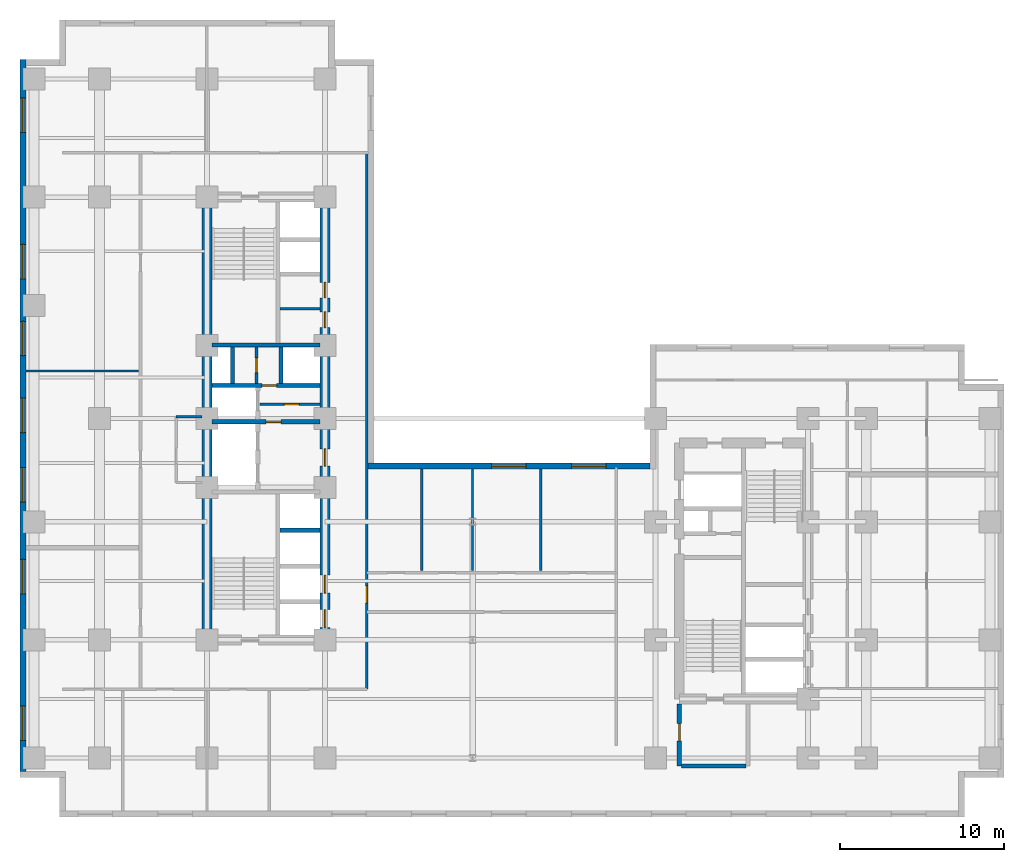
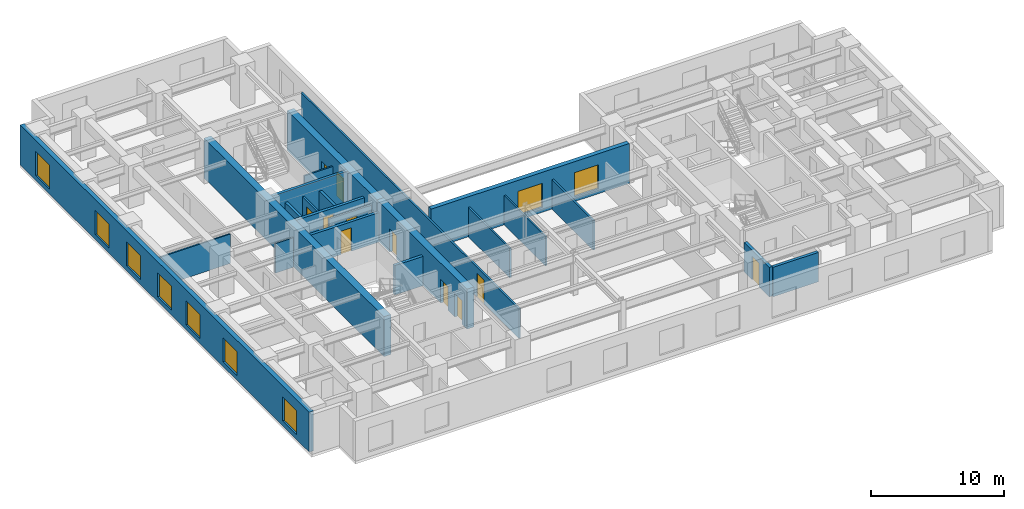
# One storey, part 4 of 9: 22 walls, 11 doors, 9 windows, 20 openings.
"""IFC4 building model written with IfcOpenShell, lengths in metres."""

from ifc_helpers import new_model, entity, si_unit, converted_unit, direction, frame, origin_with_axes, origin_2d_with_axis, place, context, subcontext, project, spatial, polyline, rectangle, outline, extrude, material, layer, layer_set, type_object, element, fill, save


model = new_model("IFC4")

# Units and contexts
model_context = context("Model", 3, precision=1e-05, world=origin_with_axes(), true_north=direction((0.0, 1.0)))
body_context = subcontext(model_context, "Body", "Model", "MODEL_VIEW")
ifc_project = project(units=[si_unit("LENGTHUNIT", "METRE"), si_unit("AREAUNIT", "SQUARE_METRE"), si_unit("VOLUMEUNIT", "CUBIC_METRE"), converted_unit("PLANEANGLEUNIT", "DEGREE", entity("IfcPlaneAngleMeasure", 0.017453292519943295), si_unit("PLANEANGLEUNIT", "RADIAN"), dimensions=[0, 0, 0, 0, 0, 0, 0]), si_unit("MASSUNIT", "GRAM", prefix="KILO"), si_unit("THERMODYNAMICTEMPERATUREUNIT", "KELVIN")], contexts=[model_context])

# Site, building, storey
site_placement = place(None, origin_with_axes())
site = spatial("IfcSite", under=ifc_project, at=site_placement, CompositionType="ELEMENT")
building_placement = place(site_placement, origin_with_axes())
building = spatial("IfcBuilding", under=site, at=building_placement, Name="Varnlund Millrace Tower", CompositionType="ELEMENT")
storey_placement = place(building_placement, frame((0.0, 0.0, 63.9), z_axis=(0.0, 0.0, 1.0), x_axis=(1.0, 0.0, 0.0)))
storey = spatial("IfcBuildingStorey", under=building, at=storey_placement, Name="L15", CompositionType="ELEMENT", Elevation=63.9)

# Wall
ifc_material_1 = material(Name="Concrete C80/95", Category="concrete")
ifc_layer_1 = layer(ifc_material_1, 0.6, Name="Concrete C80/95")
ifc_layer_set_1 = layer_set([ifc_layer_1], Name="Concrete C80/95")
wall_type_1 = type_object("IfcWallType", Name="Type-CoreWall-Shear-600-C80", PredefinedType="SHEAR", material=ifc_layer_set_1)
wall_1_placement = place(storey_placement, frame((11.4, 10.8, 0.0), z_axis=(0.0, 0.0, 1.0), x_axis=(0.0, 1.0, 0.0)))
element("IfcWall", 1, at=wall_1_placement, inside=storey, type_object=wall_type_1, Name="Type-CoreWall-Shear-600-C80", PredefinedType="SHEAR", context=body_context, shape_type="SweptSolid", body=[
    extrude(outline(polyline([(0.0, -0.3), (27.0, -0.3), (27.0, 0.3), (0.0, 0.3), (0.0, -0.3)])), origin_with_axes(), (0.0, 0.0, 1.0), 3.66),
])

# Wall, openings, doors
wall_2_placement = place(storey_placement, frame((18.6, 10.8, 0.0), z_axis=(0.0, 0.0, 1.0), x_axis=(0.0, 1.0, 0.0)))
wall_2 = element("IfcWall", 2, at=wall_2_placement, inside=storey, type_object=wall_type_1, Name="Type-CoreWall-Shear-600-C80", PredefinedType="SHEAR", context=body_context, shape_type="SweptSolid", body=[
    extrude(outline(polyline([(0.0, -0.3), (13.5, -0.3), (13.5, 0.3), (0.0, 0.3), (0.0, -0.3)])), origin_with_axes(), (0.0, 0.0, 1.0), 3.66),
])
opening_1_placement = place(wall_2_placement, frame((1.3, 0.0, 0.0), z_axis=(0.0, 0.0, 1.0), x_axis=(1.0, 0.0, 0.0)))
opening_1 = element("IfcOpeningElement", 3, at=opening_1_placement, cuts=wall_2, Name="Opening L15:LD-ELV-L1", PredefinedType="OPENING", context=body_context, shape_type="SweptSolid", body=[
    extrude(rectangle(XDim=1.1, YDim=0.62, at=origin_2d_with_axis()), origin_with_axes(), (0.0, 0.0, 1.0), 2.15),
])
opening_2_placement = place(wall_2_placement, frame((3.4, 0.0, 0.0), z_axis=(0.0, 0.0, 1.0), x_axis=(1.0, 0.0, 0.0)))
opening_2 = element("IfcOpeningElement", 4, at=opening_2_placement, cuts=wall_2, Name="Opening L15:LD-ELV-L2", PredefinedType="OPENING", context=body_context, shape_type="SweptSolid", body=[
    extrude(rectangle(XDim=1.1, YDim=0.62, at=origin_2d_with_axis()), origin_with_axes(), (0.0, 0.0, 1.0), 2.15),
])
opening_3_placement = place(wall_2_placement, frame((11.125, 0.0, 0.0), z_axis=(0.0, 0.0, 1.0), x_axis=(1.0, 0.0, 0.0)))
opening_3 = element("IfcOpeningElement", 5, at=opening_3_placement, cuts=wall_2, Name="Opening L15:DR-FFLOB-A", PredefinedType="OPENING", context=body_context, shape_type="SweptSolid", body=[
    extrude(rectangle(XDim=1.05, YDim=0.62, at=origin_2d_with_axis()), origin_with_axes(), (0.0, 0.0, 1.0), 2.15),
])
ifc_material_2 = material(Name="Smoke-barrier hollow steel fire door", Category="steel")
door_type_1 = type_object("IfcDoorType", Name="Type-FireDoor-Lobby-1050X2150", OperationType="NOTDEFINED", PredefinedType="DOOR", material=ifc_material_2)
door_1_placement = place(wall_2_placement, frame((11.125, 0.0, 0.0), z_axis=(0.0, 0.0, 1.0), x_axis=(1.0, 0.0, 0.0)))
door_1 = element("IfcDoor", 6, at=door_1_placement, inside=storey, type_object=door_type_1, Name="Type-FireDoor-Lobby-1050X2150", OperationType="SINGLE_SWING_LEFT", OverallHeight=2.15, OverallWidth=1.05, PredefinedType="DOOR", context=body_context, shape_type="SweptSolid", body=[
    extrude(rectangle(XDim=1.05, YDim=0.09, at=origin_2d_with_axis()), origin_with_axes(), (0.0, 0.0, 1.0), 2.15),
])
fill(opening_3, door_1)
ifc_material_3 = material(Name="Stainless and architectural bronze sliding landing door")
door_type_2 = type_object("IfcDoorType", Name="Type-LiftLandingDoor-1100X2150", OperationType="NOTDEFINED", PredefinedType="DOOR", material=ifc_material_3)
door_2_placement = place(wall_2_placement, frame((1.3, 0.0, 0.0), z_axis=(0.0, 0.0, 1.0), x_axis=(1.0, 0.0, 0.0)))
door_2 = element("IfcDoor", 7, at=door_2_placement, inside=storey, type_object=door_type_2, Name="Type-LiftLandingDoor-1100X2150", OperationType="SLIDING_TO_LEFT", OverallHeight=2.15, OverallWidth=1.1, PredefinedType="DOOR", context=body_context, shape_type="SweptSolid", body=[
    extrude(rectangle(XDim=1.1, YDim=0.09, at=origin_2d_with_axis()), origin_with_axes(), (0.0, 0.0, 1.0), 2.15),
])
fill(opening_1, door_2)
door_3_placement = place(wall_2_placement, frame((3.4, 0.0, 0.0), z_axis=(0.0, 0.0, 1.0), x_axis=(1.0, 0.0, 0.0)))
door_3 = element("IfcDoor", 8, at=door_3_placement, inside=storey, type_object=door_type_2, Name="Type-LiftLandingDoor-1100X2150", OperationType="SLIDING_TO_RIGHT", OverallHeight=2.15, OverallWidth=1.1, PredefinedType="DOOR", context=body_context, shape_type="SweptSolid", body=[
    extrude(rectangle(XDim=1.1, YDim=0.09, at=origin_2d_with_axis()), origin_with_axes(), (0.0, 0.0, 1.0), 2.15),
])
fill(opening_2, door_3)

wall_3_placement = place(storey_placement, frame((18.6, 24.3, 0.0), z_axis=(0.0, 0.0, 1.0), x_axis=(0.0, 1.0, 0.0)))
wall_3 = element("IfcWall", 9, at=wall_3_placement, inside=storey, type_object=wall_type_1, Name="Type-CoreWall-Shear-600-C80", PredefinedType="SHEAR", context=body_context, shape_type="SweptSolid", body=[
    extrude(outline(polyline([(0.0, -0.3), (13.5, -0.3), (13.5, 0.3), (0.0, 0.3), (0.0, -0.3)])), origin_with_axes(), (0.0, 0.0, 1.0), 3.66),
])
opening_4_placement = place(wall_3_placement, frame((6.025, 0.0, 0.0), z_axis=(0.0, 0.0, 1.0), x_axis=(1.0, 0.0, 0.0)))
opening_4 = element("IfcOpeningElement", 10, at=opening_4_placement, cuts=wall_3, Name="Opening L15:DR-CA-WC1", PredefinedType="OPENING", context=body_context, shape_type="SweptSolid", body=[
    extrude(rectangle(XDim=0.95, YDim=0.62, at=origin_2d_with_axis()), origin_with_axes(), (0.0, 0.0, 1.0), 2.15),
])
opening_5_placement = place(wall_3_placement, frame((7.825, 0.0, 0.0), z_axis=(0.0, 0.0, 1.0), x_axis=(1.0, 0.0, 0.0)))
opening_5 = element("IfcOpeningElement", 11, at=opening_5_placement, cuts=wall_3, Name="Opening L15:DR-CA-WC2", PredefinedType="OPENING", context=body_context, shape_type="SweptSolid", body=[
    extrude(rectangle(XDim=0.95, YDim=0.62, at=origin_2d_with_axis()), origin_with_axes(), (0.0, 0.0, 1.0), 2.15),
])
ifc_material_4 = material(Name="Fire-rated hollow steel core service door", Category="steel")
door_type_3 = type_object("IfcDoorType", Name="Type-FireDoor-Service-950X2150", OperationType="NOTDEFINED", PredefinedType="DOOR", material=ifc_material_4)
door_4_placement = place(wall_3_placement, frame((6.025, 0.0, 0.0), z_axis=(0.0, 0.0, 1.0), x_axis=(1.0, 0.0, 0.0)))
door_4 = element("IfcDoor", 12, at=door_4_placement, inside=storey, type_object=door_type_3, Name="Type-FireDoor-Service-950X2150", OperationType="SINGLE_SWING_RIGHT", OverallHeight=2.15, OverallWidth=0.95, PredefinedType="DOOR", context=body_context, shape_type="SweptSolid", body=[
    extrude(rectangle(XDim=0.95, YDim=0.09, at=origin_2d_with_axis()), origin_with_axes(), (0.0, 0.0, 1.0), 2.15),
])
fill(opening_4, door_4)
door_5_placement = place(wall_3_placement, frame((7.825, 0.0, 0.0), z_axis=(0.0, 0.0, 1.0), x_axis=(1.0, 0.0, 0.0)))
door_5 = element("IfcDoor", 13, at=door_5_placement, inside=storey, type_object=door_type_3, Name="Type-FireDoor-Service-950X2150", OperationType="SINGLE_SWING_RIGHT", OverallHeight=2.15, OverallWidth=0.95, PredefinedType="DOOR", context=body_context, shape_type="SweptSolid", body=[
    extrude(rectangle(XDim=0.95, YDim=0.09, at=origin_2d_with_axis()), origin_with_axes(), (0.0, 0.0, 1.0), 2.15),
])
fill(opening_5, door_5)

# Wall, openings, windows
ifc_material_5 = material(Name="Precast concrete C50/60", Category="concrete")
ifc_layer_2 = layer(ifc_material_5, 0.38, Name="Precast concrete C50/60")
ifc_layer_set_2 = layer_set([ifc_layer_2], Name="Precast concrete C50/60")
wall_type_2 = type_object("IfcWallType", Name="Type-ExtWall-Precast-Tube-380", PredefinedType="SOLIDWALL", material=ifc_layer_set_2)
wall_4_placement = place(storey_placement, frame((0.19, 2.78, 0.0), z_axis=(0.0, 0.0, 1.0), x_axis=(0.0, 1.0, 0.0)))
wall_4 = element("IfcWall", 14, at=wall_4_placement, inside=storey, type_object=wall_type_2, Name="Type-ExtWall-Precast-Tube-380", PredefinedType="SOLIDWALL", context=body_context, shape_type="SweptSolid", body=[
    extrude(outline(polyline([(0.0, -0.19), (43.42, -0.19), (43.42, 0.19), (0.0, 0.19), (0.0, -0.19)])), origin_with_axes(), (0.0, 0.0, 1.0), 3.66),
])
opening_6_placement = place(wall_4_placement, frame((2.946, 0.0, 0.45), z_axis=(0.0, 0.0, 1.0), x_axis=(1.0, 0.0, 0.0)))
opening_6 = element("IfcOpeningElement", 15, at=opening_6_placement, cuts=wall_4, Name="Opening L15:WN-15", PredefinedType="OPENING", context=body_context, shape_type="SweptSolid", body=[
    extrude(rectangle(XDim=2.1, YDim=0.4, at=origin_2d_with_axis()), origin_with_axes(), (0.0, 0.0, 1.0), 2.2),
])
opening_7_placement = place(wall_4_placement, frame((11.878, 0.0, 0.45), z_axis=(0.0, 0.0, 1.0), x_axis=(1.0, 0.0, 0.0)))
opening_7 = element("IfcOpeningElement", 16, at=opening_7_placement, cuts=wall_4, Name="Opening L15:WN-16", PredefinedType="OPENING", context=body_context, shape_type="SweptSolid", body=[
    extrude(rectangle(XDim=2.1, YDim=0.4, at=origin_2d_with_axis()), origin_with_axes(), (0.0, 0.0, 1.0), 2.2),
])
opening_8_placement = place(wall_4_placement, frame((17.469, 0.0, 0.45), z_axis=(0.0, 0.0, 1.0), x_axis=(1.0, 0.0, 0.0)))
opening_8 = element("IfcOpeningElement", 17, at=opening_8_placement, cuts=wall_4, Name="Opening L15:WN-17", PredefinedType="OPENING", context=body_context, shape_type="SweptSolid", body=[
    extrude(rectangle(XDim=2.1, YDim=0.4, at=origin_2d_with_axis()), origin_with_axes(), (0.0, 0.0, 1.0), 2.2),
])
opening_9_placement = place(wall_4_placement, frame((21.71, 0.0, 0.45), z_axis=(0.0, 0.0, 1.0), x_axis=(1.0, 0.0, 0.0)))
opening_9 = element("IfcOpeningElement", 18, at=opening_9_placement, cuts=wall_4, Name="Opening L15:WN-18", PredefinedType="OPENING", context=body_context, shape_type="SweptSolid", body=[
    extrude(rectangle(XDim=2.1, YDim=0.4, at=origin_2d_with_axis()), origin_with_axes(), (0.0, 0.0, 1.0), 2.2),
])
opening_10_placement = place(wall_4_placement, frame((26.401, 0.0, 0.45), z_axis=(0.0, 0.0, 1.0), x_axis=(1.0, 0.0, 0.0)))
opening_10 = element("IfcOpeningElement", 19, at=opening_10_placement, cuts=wall_4, Name="Opening L15:WN-19", PredefinedType="OPENING", context=body_context, shape_type="SweptSolid", body=[
    extrude(rectangle(XDim=2.1, YDim=0.4, at=origin_2d_with_axis()), origin_with_axes(), (0.0, 0.0, 1.0), 2.2),
])
opening_11_placement = place(wall_4_placement, frame((31.092, 0.0, 0.45), z_axis=(0.0, 0.0, 1.0), x_axis=(1.0, 0.0, 0.0)))
opening_11 = element("IfcOpeningElement", 20, at=opening_11_placement, cuts=wall_4, Name="Opening L15:WN-20", PredefinedType="OPENING", context=body_context, shape_type="SweptSolid", body=[
    extrude(rectangle(XDim=2.1, YDim=0.4, at=origin_2d_with_axis()), origin_with_axes(), (0.0, 0.0, 1.0), 2.2),
])
opening_12_placement = place(wall_4_placement, frame((40.024, 0.0, 0.45), z_axis=(0.0, 0.0, 1.0), x_axis=(1.0, 0.0, 0.0)))
opening_12 = element("IfcOpeningElement", 21, at=opening_12_placement, cuts=wall_4, Name="Opening L15:WN-21", PredefinedType="OPENING", context=body_context, shape_type="SweptSolid", body=[
    extrude(rectangle(XDim=2.1, YDim=0.4, at=origin_2d_with_axis()), origin_with_axes(), (0.0, 0.0, 1.0), 2.2),
])
ifc_material_6 = material(Name="Argon low-e triple glazing in thermally broken bronze frame", Category="glass")
window_type = type_object("IfcWindowType", Name="Type-Window-Punched-2100X2200", PartitioningType="SINGLE_PANEL", PredefinedType="WINDOW", material=ifc_material_6)
window_1_placement = place(wall_4_placement, frame((2.946, 0.0, 0.45), z_axis=(0.0, 0.0, 1.0), x_axis=(1.0, 0.0, 0.0)))
window_1 = element("IfcWindow", 22, at=window_1_placement, inside=storey, type_object=window_type, Name="Type-Window-Punched-2100X2200", OverallHeight=2.2, OverallWidth=2.1, PredefinedType="WINDOW", context=body_context, shape_type="SweptSolid", body=[
    extrude(rectangle(XDim=2.1, YDim=0.09, at=origin_2d_with_axis()), origin_with_axes(), (0.0, 0.0, 1.0), 2.2),
])
fill(opening_6, window_1)
window_2_placement = place(wall_4_placement, frame((11.878, 0.0, 0.45), z_axis=(0.0, 0.0, 1.0), x_axis=(1.0, 0.0, 0.0)))
window_2 = element("IfcWindow", 23, at=window_2_placement, inside=storey, type_object=window_type, Name="Type-Window-Punched-2100X2200", OverallHeight=2.2, OverallWidth=2.1, PredefinedType="WINDOW", context=body_context, shape_type="SweptSolid", body=[
    extrude(rectangle(XDim=2.1, YDim=0.09, at=origin_2d_with_axis()), origin_with_axes(), (0.0, 0.0, 1.0), 2.2),
])
fill(opening_7, window_2)
window_3_placement = place(wall_4_placement, frame((17.469, 0.0, 0.45), z_axis=(0.0, 0.0, 1.0), x_axis=(1.0, 0.0, 0.0)))
window_3 = element("IfcWindow", 24, at=window_3_placement, inside=storey, type_object=window_type, Name="Type-Window-Punched-2100X2200", OverallHeight=2.2, OverallWidth=2.1, PredefinedType="WINDOW", context=body_context, shape_type="SweptSolid", body=[
    extrude(rectangle(XDim=2.1, YDim=0.09, at=origin_2d_with_axis()), origin_with_axes(), (0.0, 0.0, 1.0), 2.2),
])
fill(opening_8, window_3)
window_4_placement = place(wall_4_placement, frame((21.71, 0.0, 0.45), z_axis=(0.0, 0.0, 1.0), x_axis=(1.0, 0.0, 0.0)))
window_4 = element("IfcWindow", 25, at=window_4_placement, inside=storey, type_object=window_type, Name="Type-Window-Punched-2100X2200", OverallHeight=2.2, OverallWidth=2.1, PredefinedType="WINDOW", context=body_context, shape_type="SweptSolid", body=[
    extrude(rectangle(XDim=2.1, YDim=0.09, at=origin_2d_with_axis()), origin_with_axes(), (0.0, 0.0, 1.0), 2.2),
])
fill(opening_9, window_4)
window_5_placement = place(wall_4_placement, frame((26.401, 0.0, 0.45), z_axis=(0.0, 0.0, 1.0), x_axis=(1.0, 0.0, 0.0)))
window_5 = element("IfcWindow", 26, at=window_5_placement, inside=storey, type_object=window_type, Name="Type-Window-Punched-2100X2200", OverallHeight=2.2, OverallWidth=2.1, PredefinedType="WINDOW", context=body_context, shape_type="SweptSolid", body=[
    extrude(rectangle(XDim=2.1, YDim=0.09, at=origin_2d_with_axis()), origin_with_axes(), (0.0, 0.0, 1.0), 2.2),
])
fill(opening_10, window_5)
window_6_placement = place(wall_4_placement, frame((31.092, 0.0, 0.45), z_axis=(0.0, 0.0, 1.0), x_axis=(1.0, 0.0, 0.0)))
window_6 = element("IfcWindow", 27, at=window_6_placement, inside=storey, type_object=window_type, Name="Type-Window-Punched-2100X2200", OverallHeight=2.2, OverallWidth=2.1, PredefinedType="WINDOW", context=body_context, shape_type="SweptSolid", body=[
    extrude(rectangle(XDim=2.1, YDim=0.09, at=origin_2d_with_axis()), origin_with_axes(), (0.0, 0.0, 1.0), 2.2),
])
fill(opening_11, window_6)
window_7_placement = place(wall_4_placement, frame((40.024, 0.0, 0.45), z_axis=(0.0, 0.0, 1.0), x_axis=(1.0, 0.0, 0.0)))
window_7 = element("IfcWindow", 28, at=window_7_placement, inside=storey, type_object=window_type, Name="Type-Window-Punched-2100X2200", OverallHeight=2.2, OverallWidth=2.1, PredefinedType="WINDOW", context=body_context, shape_type="SweptSolid", body=[
    extrude(rectangle(XDim=2.1, YDim=0.09, at=origin_2d_with_axis()), origin_with_axes(), (0.0, 0.0, 1.0), 2.2),
])
fill(opening_12, window_7)

wall_5_placement = place(storey_placement, frame((21.22, 21.41, 0.0), z_axis=(0.0, 0.0, 1.0), x_axis=(1.0, 0.0, 0.0)))
wall_5 = element("IfcWall", 29, at=wall_5_placement, inside=storey, type_object=wall_type_2, Name="Type-ExtWall-Precast-Tube-380", PredefinedType="SOLIDWALL", context=body_context, shape_type="SweptSolid", body=[
    extrude(outline(polyline([(0.0, -0.19), (17.18, -0.19), (17.18, 0.19), (0.0, 0.19), (0.0, -0.19)])), origin_with_axes(), (0.0, 0.0, 1.0), 3.66),
])
opening_13_placement = place(wall_5_placement, frame((8.59, 0.0, 0.45), z_axis=(0.0, 0.0, 1.0), x_axis=(1.0, 0.0, 0.0)))
opening_13 = element("IfcOpeningElement", 30, at=opening_13_placement, cuts=wall_5, Name="Opening L15:WN-25", PredefinedType="OPENING", context=body_context, shape_type="SweptSolid", body=[
    extrude(rectangle(XDim=2.1, YDim=0.4, at=origin_2d_with_axis()), origin_with_axes(), (0.0, 0.0, 1.0), 2.2),
])
opening_14_placement = place(wall_5_placement, frame((13.467, 0.0, 0.45), z_axis=(0.0, 0.0, 1.0), x_axis=(1.0, 0.0, 0.0)))
opening_14 = element("IfcOpeningElement", 31, at=opening_14_placement, cuts=wall_5, Name="Opening L15:WN-26", PredefinedType="OPENING", context=body_context, shape_type="SweptSolid", body=[
    extrude(rectangle(XDim=2.1, YDim=0.4, at=origin_2d_with_axis()), origin_with_axes(), (0.0, 0.0, 1.0), 2.2),
])
window_8_placement = place(wall_5_placement, frame((8.59, 0.0, 0.45), z_axis=(0.0, 0.0, 1.0), x_axis=(1.0, 0.0, 0.0)))
window_8 = element("IfcWindow", 32, at=window_8_placement, inside=storey, type_object=window_type, Name="Type-Window-Punched-2100X2200", OverallHeight=2.2, OverallWidth=2.1, PredefinedType="WINDOW", context=body_context, shape_type="SweptSolid", body=[
    extrude(rectangle(XDim=2.1, YDim=0.09, at=origin_2d_with_axis()), origin_with_axes(), (0.0, 0.0, 1.0), 2.2),
])
fill(opening_13, window_8)
window_9_placement = place(wall_5_placement, frame((13.467, 0.0, 0.45), z_axis=(0.0, 0.0, 1.0), x_axis=(1.0, 0.0, 0.0)))
window_9 = element("IfcWindow", 33, at=window_9_placement, inside=storey, type_object=window_type, Name="Type-Window-Punched-2100X2200", OverallHeight=2.2, OverallWidth=2.1, PredefinedType="WINDOW", context=body_context, shape_type="SweptSolid", body=[
    extrude(rectangle(XDim=2.1, YDim=0.09, at=origin_2d_with_axis()), origin_with_axes(), (0.0, 0.0, 1.0), 2.2),
])
fill(opening_14, window_9)

# Wall, opening, door
ifc_material_7 = material(Name="Fire-rated gypsum board on cold-formed steel framing", Category="steel")
ifc_layer_3 = layer(ifc_material_7, 0.16, Name="Fire-rated gypsum board on cold-formed steel framing")
ifc_layer_set_3 = layer_set([ifc_layer_3], Name="Fire-rated gypsum board on cold-formed steel framing")
wall_type_3 = type_object("IfcWallType", Name="Type-Partition-Corridor-160", PredefinedType="PARTITIONING", material=ifc_layer_set_3)
wall_6_placement = place(storey_placement, frame((14.62, 25.18, 0.0), z_axis=(0.0, 0.0, 1.0), x_axis=(1.0, 0.0, 0.0)))
wall_6 = element("IfcWall", 34, at=wall_6_placement, inside=storey, type_object=wall_type_3, Name="Type-Partition-Corridor-160", PredefinedType="PARTITIONING", context=body_context, shape_type="SweptSolid", body=[
    extrude(outline(polyline([(0.0, -0.08), (3.68, -0.08), (3.68, 0.08), (0.0, 0.08), (0.0, -0.08)])), origin_with_axes(), (0.0, 0.0, 1.0), 2.7),
])
opening_15_placement = place(wall_6_placement, frame((1.95, 0.0, 0.0), z_axis=(0.0, 0.0, 1.0), x_axis=(1.0, 0.0, 0.0)))
opening_15 = element("IfcOpeningElement", 35, at=opening_15_placement, cuts=wall_6, Name="Opening L15:DR-CA-SUB2", PredefinedType="OPENING", context=body_context, shape_type="SweptSolid", body=[
    extrude(rectangle(XDim=0.9, YDim=0.18, at=origin_2d_with_axis()), origin_with_axes(), (0.0, 0.0, 1.0), 2.15),
])
ifc_material_8 = material(Name="Painted steel riser and closet door", Category="steel")
door_type_4 = type_object("IfcDoorType", Name="Type-IntDoor-Closet-900X2150", OperationType="NOTDEFINED", PredefinedType="DOOR", material=ifc_material_8)
door_6_placement = place(wall_6_placement, frame((1.95, 0.0, 0.0), z_axis=(0.0, 0.0, 1.0), x_axis=(1.0, 0.0, 0.0)))
door_6 = element("IfcDoor", 36, at=door_6_placement, inside=storey, type_object=door_type_4, Name="Type-IntDoor-Closet-900X2150", OperationType="SINGLE_SWING_LEFT", OverallHeight=2.15, OverallWidth=0.9, PredefinedType="DOOR", context=body_context, shape_type="SweptSolid", body=[
    extrude(rectangle(XDim=0.9, YDim=0.09, at=origin_2d_with_axis()), origin_with_axes(), (0.0, 0.0, 1.0), 2.15),
])
fill(opening_15, door_6)

wall_7_placement = place(storey_placement, frame((14.42, 26.45, 0.0), z_axis=(0.0, 0.0, 1.0), x_axis=(0.0, 1.0, 0.0)))
wall_7 = element("IfcWall", 37, at=wall_7_placement, inside=storey, type_object=wall_type_3, Name="Type-Partition-Corridor-160", PredefinedType="PARTITIONING", context=body_context, shape_type="SweptSolid", body=[
    extrude(outline(polyline([(0.0, -0.08), (2.2, -0.08), (2.2, 0.08), (0.0, 0.08), (0.0, -0.08)])), origin_with_axes(), (0.0, 0.0, 1.0), 2.7),
])
opening_16_placement = place(wall_7_placement, frame((1.1, 0.0, 0.0), z_axis=(0.0, 0.0, 1.0), x_axis=(1.0, 0.0, 0.0)))
opening_16 = element("IfcOpeningElement", 38, at=opening_16_placement, cuts=wall_7, Name="Opening L15:DR-CA-EL2", PredefinedType="OPENING", context=body_context, shape_type="SweptSolid", body=[
    extrude(rectangle(XDim=0.9, YDim=0.18, at=origin_2d_with_axis()), origin_with_axes(), (0.0, 0.0, 1.0), 2.15),
])
door_7_placement = place(wall_7_placement, frame((1.1, 0.0, 0.0), z_axis=(0.0, 0.0, 1.0), x_axis=(1.0, 0.0, 0.0)))
door_7 = element("IfcDoor", 39, at=door_7_placement, inside=storey, type_object=door_type_4, Name="Type-IntDoor-Closet-900X2150", OperationType="SINGLE_SWING_LEFT", OverallHeight=2.15, OverallWidth=0.9, PredefinedType="DOOR", context=body_context, shape_type="SweptSolid", body=[
    extrude(rectangle(XDim=0.9, YDim=0.09, at=origin_2d_with_axis()), origin_with_axes(), (0.0, 0.0, 1.0), 2.15),
])
fill(opening_16, door_7)

wall_8_placement = place(storey_placement, frame((21.15, 7.8, 0.0), z_axis=(0.0, 0.0, 1.0), x_axis=(0.0, 1.0, 0.0)))
wall_8 = element("IfcWall", 40, at=wall_8_placement, inside=storey, type_object=wall_type_3, Name="Type-Partition-Corridor-160", PredefinedType="PARTITIONING", context=body_context, shape_type="SweptSolid", body=[
    extrude(outline(polyline([(0.0, -0.08), (32.7, -0.08), (32.7, 0.08), (0.0, 0.08), (0.0, -0.08)])), origin_with_axes(), (0.0, 0.0, 1.0), 2.7),
])
opening_17_placement = place(wall_8_placement, frame((5.775, 0.0, 0.0), z_axis=(0.0, 0.0, 1.0), x_axis=(1.0, 0.0, 0.0)))
opening_17 = element("IfcOpeningElement", 41, at=opening_17_placement, cuts=wall_8, Name="Opening L15:DR-KN-W", PredefinedType="OPENING", context=body_context, shape_type="SweptSolid", body=[
    extrude(rectangle(XDim=1.05, YDim=0.18, at=origin_2d_with_axis()), origin_with_axes(), (0.0, 0.0, 1.0), 2.15),
])
door_8_placement = place(wall_8_placement, frame((5.775, 0.0, 0.0), z_axis=(0.0, 0.0, 1.0), x_axis=(1.0, 0.0, 0.0)))
door_8 = element("IfcDoor", 42, at=door_8_placement, inside=storey, type_object=door_type_1, Name="Type-FireDoor-Lobby-1050X2150", OperationType="SINGLE_SWING_LEFT", OverallHeight=2.15, OverallWidth=1.05, PredefinedType="DOOR", context=body_context, shape_type="SweptSolid", body=[
    extrude(rectangle(XDim=1.05, YDim=0.09, at=origin_2d_with_axis()), origin_with_axes(), (0.0, 0.0, 1.0), 2.15),
])
fill(opening_17, door_8)

# Walls
ifc_material_9 = material(Name="Acoustic STC-50 gypsum board partition", Category="gypsum")
ifc_layer_4 = layer(ifc_material_9, 0.15, Name="Acoustic STC-50 gypsum board partition")
ifc_layer_set_4 = layer_set([ifc_layer_4], Name="Acoustic STC-50 gypsum board partition")
wall_type_4 = type_object("IfcWallType", Name="Type-Partition-Demising-150", PredefinedType="PARTITIONING", material=ifc_layer_set_4)
for number, where, z_axis, x_axis, name in (
    (43, (24.505, 15.02, 0.0), (0.0, 0.0, 1.0), (0.0, 1.0, 0.0), "Type-Partition-Demising-150"),
    (44, (31.753, 15.02, 0.0), (0.0, 0.0, 1.0), (0.0, 1.0, 0.0), "Type-Partition-Demising-150"),
):
    element("IfcWall", number, at=place(storey_placement, frame(where, z_axis=z_axis, x_axis=x_axis)), inside=storey, type_object=wall_type_4, Name=name, PredefinedType="PARTITIONING", context=body_context, shape_type="SweptSolid", body=[
        extrude(outline(polyline([(0.0, -0.075), (6.205, -0.075), (6.205, 0.075), (0.0, 0.075), (0.0, -0.075)])), origin_with_axes(), (0.0, 0.0, 1.0), 2.7),
    ])
ifc_material_10 = material(Name="Gypsum board tenant partition", Category="gypsum")
ifc_layer_5 = layer(ifc_material_10, 0.125, Name="Gypsum board tenant partition")
ifc_layer_set_5 = layer_set([ifc_layer_5], Name="Gypsum board tenant partition")
wall_type_5 = type_object("IfcWallType", Name="Type-Partition-Tenant-125", PredefinedType="PARTITIONING", material=ifc_layer_set_5)
wall_9_placement = place(storey_placement, frame((0.375, 27.187, 0.0), z_axis=(0.0, 0.0, 1.0), x_axis=(1.0, 0.0, 0.0)))
element("IfcWall", 45, at=wall_9_placement, inside=storey, type_object=wall_type_5, Name="Type-Partition-Tenant-125", PredefinedType="PARTITIONING", context=body_context, shape_type="SweptSolid", body=[
    extrude(outline(polyline([(0.0, -0.0625), (6.855, -0.0625), (6.855, 0.0625), (0.0, 0.0625), (0.0, -0.0625)])), origin_with_axes(), (0.0, 0.0, 1.0), 2.7),
])
wall_10_placement = place(storey_placement, frame((27.6, 15.02, 0.0), z_axis=(0.0, 0.0, 1.0), x_axis=(0.0, 1.0, 0.0)))
element("IfcWall", 46, at=wall_10_placement, inside=storey, type_object=wall_type_5, Name="Type-Partition-Tenant-125", PredefinedType="PARTITIONING", context=body_context, shape_type="SweptSolid", body=[
    extrude(outline(polyline([(0.0, -0.0625), (6.205, -0.0625), (6.205, 0.0625), (0.0, 0.0625), (0.0, -0.0625)])), origin_with_axes(), (0.0, 0.0, 1.0), 2.7),
])
ifc_material_11 = material(Name="Moisture-resistant gypsum restroom partition", Category="gypsum")
ifc_layer_6 = layer(ifc_material_11, 0.14, Name="Moisture-resistant gypsum restroom partition")
ifc_layer_set_6 = layer_set([ifc_layer_6], Name="Moisture-resistant gypsum restroom partition")
wall_type_6 = type_object("IfcWallType", Name="Type-Partition-Wet-140", PredefinedType="PARTITIONING", material=ifc_layer_set_6)
wall_11_placement = place(storey_placement, frame((15.84, 31.0, 0.0), z_axis=(0.0, 0.0, 1.0), x_axis=(1.0, 0.0, 0.0)))
element("IfcWall", 47, at=wall_11_placement, inside=storey, type_object=wall_type_6, Name="Type-Partition-Wet-140", PredefinedType="PARTITIONING", context=body_context, shape_type="SweptSolid", body=[
    extrude(outline(polyline([(0.0, -0.07), (2.46, -0.07), (2.46, 0.07), (0.0, 0.07), (0.0, -0.07)])), origin_with_axes(), (0.0, 0.0, 1.0), 2.7),
])
wall_12_placement = place(storey_placement, frame((9.52, 24.4, 0.0), z_axis=(0.0, 0.0, 1.0), x_axis=(1.0, 0.0, 0.0)))
element("IfcWall", 48, at=wall_12_placement, inside=storey, type_object=wall_type_6, Name="Type-Partition-Wet-140", PredefinedType="PARTITIONING", context=body_context, shape_type="SweptSolid", body=[
    extrude(outline(polyline([(0.0, -0.07), (1.58, -0.07), (1.58, 0.07), (0.0, 0.07), (0.0, -0.07)])), origin_with_axes(), (0.0, 0.0, 1.0), 2.7),
])

# Wall, opening, door
ifc_material_12 = material(Name="Concrete C60/75", Category="concrete")
ifc_layer_7 = layer(ifc_material_12, 0.25, Name="Concrete C60/75")
ifc_layer_set_7 = layer_set([ifc_layer_7], Name="Concrete C60/75")
wall_type_7 = type_object("IfcWallType", Name="Type-ShaftWall-Fire-250", PredefinedType="SOLIDWALL", material=ifc_layer_set_7)
wall_13_placement = place(storey_placement, frame((11.7, 24.1, 0.0), z_axis=(0.0, 0.0, 1.0), x_axis=(1.0, 0.0, 0.0)))
wall_13 = element("IfcWall", 49, at=wall_13_placement, inside=storey, type_object=wall_type_7, Name="Type-ShaftWall-Fire-250", PredefinedType="SOLIDWALL", context=body_context, shape_type="SweptSolid", body=[
    extrude(outline(polyline([(0.0, -0.125), (6.6, -0.125), (6.6, 0.125), (0.0, 0.125), (0.0, -0.125)])), origin_with_axes(), (0.0, 0.0, 1.0), 2.7),
])
opening_18_placement = place(wall_13_placement, frame((3.75, 0.0, 0.0), z_axis=(0.0, 0.0, 1.0), x_axis=(1.0, 0.0, 0.0)))
opening_18 = element("IfcOpeningElement", 50, at=opening_18_placement, cuts=wall_13, Name="Opening L15:DR-CA-SUB1", PredefinedType="OPENING", context=body_context, shape_type="SweptSolid", body=[
    extrude(rectangle(XDim=0.9, YDim=0.27, at=origin_2d_with_axis()), origin_with_axes(), (0.0, 0.0, 1.0), 2.15),
])
ifc_material_13 = material(Name="Fire-rated hollow steel service closet door", Category="steel")
door_type_5 = type_object("IfcDoorType", Name="Type-FireDoor-Closet-900X2150", OperationType="NOTDEFINED", PredefinedType="DOOR", material=ifc_material_13)
door_9_placement = place(wall_13_placement, frame((3.75, 0.0, 0.0), z_axis=(0.0, 0.0, 1.0), x_axis=(1.0, 0.0, 0.0)))
door_9 = element("IfcDoor", 51, at=door_9_placement, inside=storey, type_object=door_type_5, Name="Type-FireDoor-Closet-900X2150", OperationType="SINGLE_SWING_LEFT", OverallHeight=2.15, OverallWidth=0.9, PredefinedType="DOOR", context=body_context, shape_type="SweptSolid", body=[
    extrude(rectangle(XDim=0.9, YDim=0.09, at=origin_2d_with_axis()), origin_with_axes(), (0.0, 0.0, 1.0), 2.15),
])
fill(opening_18, door_9)

wall_14_placement = place(storey_placement, frame((11.7, 26.325, 0.0), z_axis=(0.0, 0.0, 1.0), x_axis=(1.0, 0.0, 0.0)))
wall_14 = element("IfcWall", 52, at=wall_14_placement, inside=storey, type_object=wall_type_7, Name="Type-ShaftWall-Fire-250", PredefinedType="SOLIDWALL", context=body_context, shape_type="SweptSolid", body=[
    extrude(outline(polyline([(0.0, -0.125), (6.6, -0.125), (6.6, 0.125), (0.0, 0.125), (0.0, -0.125)])), origin_with_axes(), (0.0, 0.0, 1.0), 2.7),
])
opening_19_placement = place(wall_14_placement, frame((3.5, 0.0, 0.0), z_axis=(0.0, 0.0, 1.0), x_axis=(1.0, 0.0, 0.0)))
opening_19 = element("IfcOpeningElement", 53, at=opening_19_placement, cuts=wall_14, Name="Opening L15:DR-CA-EL1", PredefinedType="OPENING", context=body_context, shape_type="SweptSolid", body=[
    extrude(rectangle(XDim=0.9, YDim=0.27, at=origin_2d_with_axis()), origin_with_axes(), (0.0, 0.0, 1.0), 2.15),
])
door_10_placement = place(wall_14_placement, frame((3.5, 0.0, 0.0), z_axis=(0.0, 0.0, 1.0), x_axis=(1.0, 0.0, 0.0)))
door_10 = element("IfcDoor", 54, at=door_10_placement, inside=storey, type_object=door_type_5, Name="Type-FireDoor-Closet-900X2150", OperationType="SINGLE_SWING_LEFT", OverallHeight=2.15, OverallWidth=0.9, PredefinedType="DOOR", context=body_context, shape_type="SweptSolid", body=[
    extrude(rectangle(XDim=0.9, YDim=0.09, at=origin_2d_with_axis()), origin_with_axes(), (0.0, 0.0, 1.0), 2.15),
])
fill(opening_19, door_10)

# Walls
for number, where, z_axis, x_axis, name in (
    (55, (12.96, 26.45, 0.0), (0.0, 0.0, 1.0), (0.0, 1.0, 0.0), "Type-ShaftWall-Fire-250"),
    (56, (15.925, 26.45, 0.0), (0.0, 0.0, 1.0), (0.0, 1.0, 0.0), "Type-ShaftWall-Fire-250"),
):
    element("IfcWall", number, at=place(storey_placement, frame(where, z_axis=z_axis, x_axis=x_axis)), inside=storey, type_object=wall_type_7, Name=name, PredefinedType="SOLIDWALL", context=body_context, shape_type="SweptSolid", body=[
        extrude(outline(polyline([(0.0, -0.125), (2.2, -0.125), (2.2, 0.125), (0.0, 0.125), (0.0, -0.125)])), origin_with_axes(), (0.0, 0.0, 1.0), 2.7),
    ])

# Wall, opening, door
wall_15_placement = place(storey_placement, frame((40.2, 3.1, 0.0), z_axis=(0.0, 0.0, 1.0), x_axis=(0.0, 1.0, 0.0)))
wall_15 = element("IfcWall", 57, at=wall_15_placement, inside=storey, type_object=wall_type_7, Name="Type-ShaftWall-Fire-250", PredefinedType="SOLIDWALL", context=body_context, shape_type="SweptSolid", body=[
    extrude(outline(polyline([(0.0, -0.125), (3.8, -0.125), (3.8, 0.125), (0.0, 0.125), (0.0, -0.125)])), origin_with_axes(), (0.0, 0.0, 1.0), 2.7),
])
opening_20_placement = place(wall_15_placement, frame((2.075, 0.0, 0.0), z_axis=(0.0, 0.0, 1.0), x_axis=(1.0, 0.0, 0.0)))
opening_20 = element("IfcOpeningElement", 58, at=opening_20_placement, cuts=wall_15, Name="Opening L15:DR-FFLOB-B", PredefinedType="OPENING", context=body_context, shape_type="SweptSolid", body=[
    extrude(rectangle(XDim=1.05, YDim=0.27, at=origin_2d_with_axis()), origin_with_axes(), (0.0, 0.0, 1.0), 2.15),
])
door_11_placement = place(wall_15_placement, frame((2.075, 0.0, 0.0), z_axis=(0.0, 0.0, 1.0), x_axis=(1.0, 0.0, 0.0)))
door_11 = element("IfcDoor", 59, at=door_11_placement, inside=storey, type_object=door_type_1, Name="Type-FireDoor-Lobby-1050X2150", OperationType="SINGLE_SWING_LEFT", OverallHeight=2.15, OverallWidth=1.05, PredefinedType="DOOR", context=body_context, shape_type="SweptSolid", body=[
    extrude(rectangle(XDim=1.05, YDim=0.09, at=origin_2d_with_axis()), origin_with_axes(), (0.0, 0.0, 1.0), 2.15),
])
fill(opening_20, door_11)

# Walls
wall_16_placement = place(storey_placement, frame((40.325, 3.1, 0.0), z_axis=(0.0, 0.0, 1.0), x_axis=(1.0, 0.0, 0.0)))
element("IfcWall", 60, at=wall_16_placement, inside=storey, type_object=wall_type_7, Name="Type-ShaftWall-Fire-250", PredefinedType="SOLIDWALL", context=body_context, shape_type="SweptSolid", body=[
    extrude(outline(polyline([(0.0, -0.125), (3.95, -0.125), (3.95, 0.125), (0.0, 0.125), (0.0, -0.125)])), origin_with_axes(), (0.0, 0.0, 1.0), 2.7),
])
wall_17_placement = place(storey_placement, frame((15.84, 17.49, 0.0), z_axis=(0.0, 0.0, 1.0), x_axis=(1.0, 0.0, 0.0)))
element("IfcWall", 61, at=wall_17_placement, inside=storey, type_object=wall_type_7, Name="Type-ShaftWall-Fire-250", PredefinedType="SOLIDWALL", context=body_context, shape_type="SweptSolid", body=[
    extrude(outline(polyline([(0.0, -0.125), (2.46, -0.125), (2.46, 0.125), (0.0, 0.125), (0.0, -0.125)])), origin_with_axes(), (0.0, 0.0, 1.0), 2.7),
])
wall_type_8 = type_object("IfcWallType", Name="Type-StairWall-Shear-250", PredefinedType="SHEAR", material=ifc_layer_set_7)
wall_18_placement = place(storey_placement, frame((11.7, 28.775, 0.0), z_axis=(0.0, 0.0, 1.0), x_axis=(1.0, 0.0, 0.0)))
element("IfcWall", 62, at=wall_18_placement, inside=storey, type_object=wall_type_8, Name="Type-StairWall-Shear-250", PredefinedType="SHEAR", context=body_context, shape_type="SweptSolid", body=[
    extrude(outline(polyline([(0.0, -0.125), (6.6, -0.125), (6.6, 0.125), (0.0, 0.125), (0.0, -0.125)])), origin_with_axes(), (0.0, 0.0, 1.0), 3.66),
])

save(model, "model.ifc")
